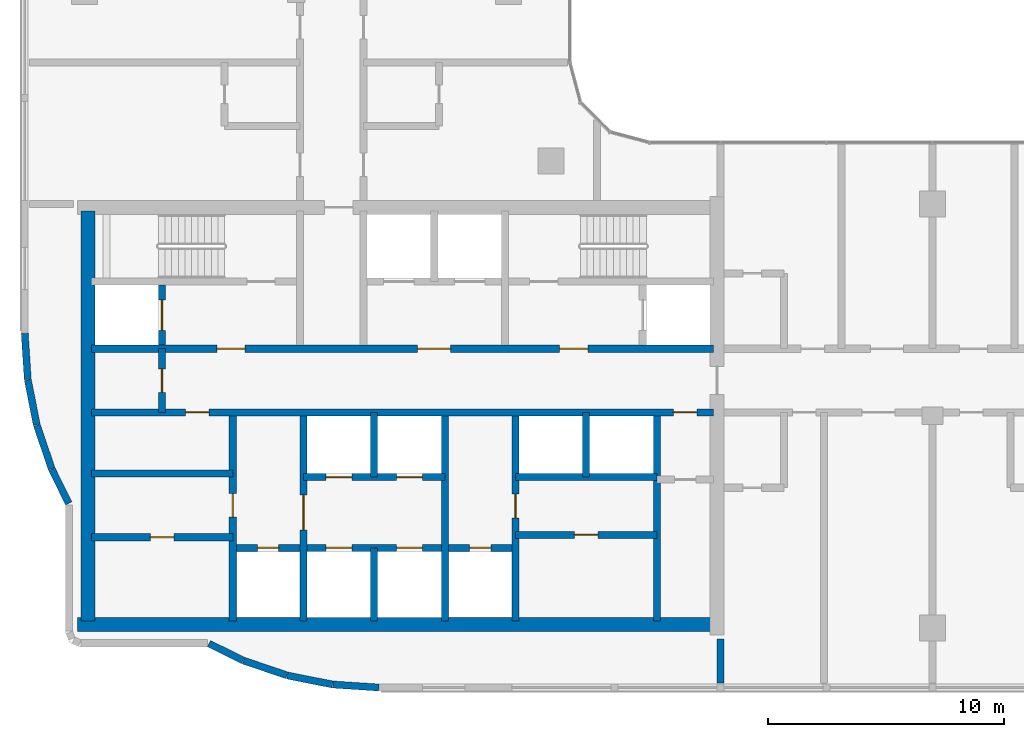
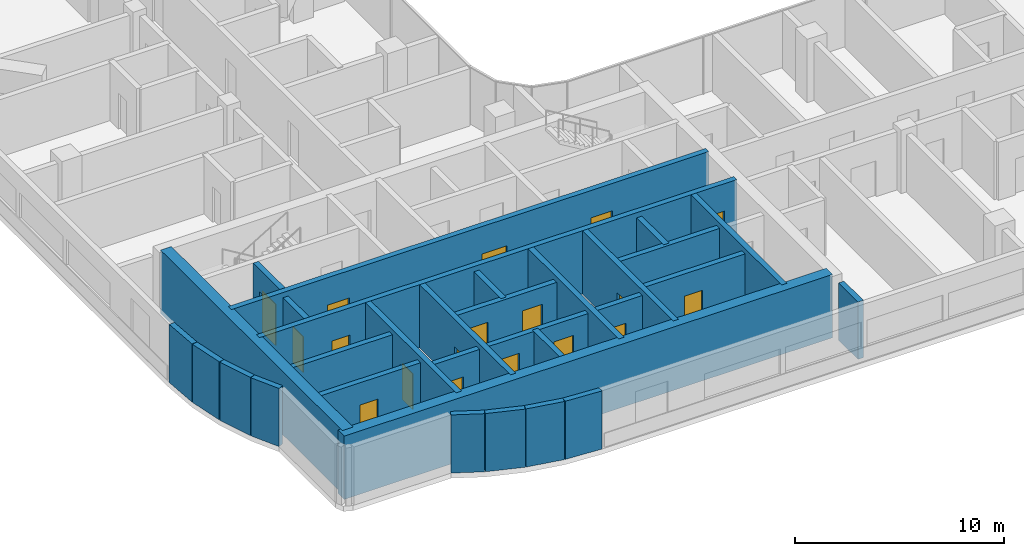
# One storey, part 10 of 23: 29 walls, 18 doors, 18 openings.
"""IFC4 building model written with IfcOpenShell, lengths in metres."""

from ifc_helpers import new_model, si_unit, direction, frame, frame_2d, origin, place, context, subcontext, project, spatial, rectangle, extrude, material, layer, layer_set, type_object, element, fill, save


model = new_model("IFC4")

# Units and contexts
model_context = context("Model", 3, precision=1e-05, world=origin(), true_north=direction((0.0, 1.0)))
body_context = subcontext(model_context, "Body", "Model", "MODEL_VIEW")
ifc_project = project(units=[si_unit("LENGTHUNIT", "METRE"), si_unit("AREAUNIT", "SQUARE_METRE"), si_unit("VOLUMEUNIT", "CUBIC_METRE"), si_unit("PLANEANGLEUNIT", "RADIAN"), si_unit("MASSUNIT", "GRAM", prefix="KILO")], contexts=[model_context])

# Site, building, storey
site_placement = place(None, origin())
site = spatial("IfcSite", under=ifc_project, at=site_placement, CompositionType="ELEMENT")
building_placement = place(site_placement, origin())
building = spatial("IfcBuilding", under=site, at=building_placement, Name="Ogive Portal Towers", CompositionType="ELEMENT")
storey_placement = place(building_placement, frame((0.0, 0.0, 186.60009765625)))
storey = spatial("IfcBuildingStorey", under=building, at=storey_placement, Name="L46", CompositionType="ELEMENT", Elevation=186.60009765625)

# Wall, opening, door
ifc_material_1 = material(Name="Concrete C60/75", Category="concrete")
ifc_layer_1 = layer(ifc_material_1, 0.300048828125)
ifc_layer_set_1 = layer_set([ifc_layer_1], Name="CORE WALL 300 C60")
wall_type_1 = type_object("IfcWallType", Name="CORE WALL 300 C60", PredefinedType="SHEAR", material=ifc_layer_set_1)
wall_1_placement = place(storey_placement, frame((37.800048828125, 21.800048828125, 0.0), z_axis=(0.0, 0.0, 1.0), x_axis=(0.0, 1.0, 0.0)))
wall_1 = element("IfcWall", 1, at=wall_1_placement, inside=storey, type_object=wall_type_1, Name="Core wall X1 L46", PredefinedType="SHEAR", context=body_context, shape_type="SweptSolid", body=[
    extrude(rectangle(XDim=8.699951171875, YDim=0.300048828125, at=frame_2d((4.35009765625, 0.0))), origin(), (0.0, 0.0, 1.0), 3.699951171875),
])
opening_1_placement = place(wall_1_placement, frame((4.39990234375, 0.0, 0.0)))
opening_1 = element("IfcOpeningElement", 2, at=opening_1_placement, cuts=wall_1, Name="Opening D20-022", PredefinedType="OPENING", context=body_context, shape_type="SweptSolid", body=[
    extrude(rectangle(XDim=1.0, YDim=2.10009765625, at=frame_2d((0.5, 1.050048828125))), frame((0.0, 0.16015625, 0.0), z_axis=(0.0, -1.0, 0.0), x_axis=(1.0, 0.0, 0.0)), (0.0, 0.0, 1.0), 0.320068359375),
])
ifc_material_2 = material(Name="Steel fire door", Category="steel")
door_type_1 = type_object("IfcDoorType", Name="DT-SWING-1000x2100-FD90S", OperationType="SINGLE_SWING_LEFT", PredefinedType="DOOR", material=ifc_material_2)
door_1_placement = place(opening_1_placement, origin())
door_1 = element("IfcDoor", 3, at=door_1_placement, inside=storey, type_object=door_type_1, Name="Door D20-022", OperationType="SINGLE_SWING_RIGHT", OverallHeight=2.10009765625, OverallWidth=1.0, PredefinedType="DOOR", context=body_context, shape_type="SweptSolid", body=[
    extrude(rectangle(XDim=1.0, YDim=2.10009765625, at=frame_2d((0.5, 1.050048828125))), frame((0.0, 0.02490234375, 0.0), z_axis=(0.0, -1.0, 0.0), x_axis=(1.0, 0.0, 0.0)), (0.0, 0.0, 1.0), 0.050048828125),
])
fill(opening_1, door_1)

wall_2_placement = place(storey_placement, frame((40.800048828125, 21.800048828125, 0.0), z_axis=(0.0, 0.0, 1.0), x_axis=(0.0, 1.0, 0.0)))
wall_2 = element("IfcWall", 4, at=wall_2_placement, inside=storey, type_object=wall_type_1, Name="Core wall X2 L46", PredefinedType="SHEAR", context=body_context, shape_type="SweptSolid", body=[
    extrude(rectangle(XDim=8.699951171875, YDim=0.300048828125, at=frame_2d((4.35009765625, 0.0))), origin(), (0.0, 0.0, 1.0), 3.699951171875),
])
opening_2_placement = place(wall_2_placement, frame((3.85009765625, 0.0, 0.0)))
opening_2 = element("IfcOpeningElement", 5, at=opening_2_placement, cuts=wall_2, Name="Opening D20-001", PredefinedType="OPENING", context=body_context, shape_type="SweptSolid", body=[
    extrude(rectangle(XDim=1.5, YDim=2.10009765625, at=frame_2d((0.75, 1.050048828125))), frame((0.0, 0.16015625, 0.0), z_axis=(0.0, -1.0, 0.0), x_axis=(1.0, 0.0, 0.0)), (0.0, 0.0, 1.0), 0.320068359375),
])
door_type_2 = type_object("IfcDoorType", Name="DT-SWING-1500x2100-FD90S", OperationType="SINGLE_SWING_LEFT", PredefinedType="DOOR", material=ifc_material_2)
door_2_placement = place(opening_2_placement, origin())
door_2 = element("IfcDoor", 6, at=door_2_placement, inside=storey, type_object=door_type_2, Name="Door D20-001", OperationType="SINGLE_SWING_RIGHT", OverallHeight=2.10009765625, OverallWidth=1.5, PredefinedType="DOOR", context=body_context, shape_type="SweptSolid", body=[
    extrude(rectangle(XDim=1.5, YDim=2.10009765625, at=frame_2d((0.75, 1.050048828125))), frame((0.0, 0.02490234375, 0.0), z_axis=(0.0, -1.0, 0.0), x_axis=(1.0, 0.0, 0.0)), (0.0, 0.0, 1.0), 0.050048828125),
])
fill(opening_2, door_2)

# Wall
wall_3_placement = place(storey_placement, frame((46.800048828125, 21.800048828125, 0.0), z_axis=(0.0, 0.0, 1.0), x_axis=(0.0, 1.0, 0.0)))
element("IfcWall", 7, at=wall_3_placement, inside=storey, type_object=wall_type_1, Name="Core wall X3 L46", PredefinedType="SHEAR", context=body_context, shape_type="SweptSolid", body=[
    extrude(rectangle(XDim=8.699951171875, YDim=0.300048828125, at=frame_2d((4.35009765625, 0.0))), origin(), (0.0, 0.0, 1.0), 3.699951171875),
])

# Wall, opening, door
wall_4_placement = place(storey_placement, frame((49.800048828125, 21.800048828125, 0.0), z_axis=(0.0, 0.0, 1.0), x_axis=(0.0, 1.0, 0.0)))
wall_4 = element("IfcWall", 8, at=wall_4_placement, inside=storey, type_object=wall_type_1, Name="Core wall X4 L46", PredefinedType="SHEAR", context=body_context, shape_type="SweptSolid", body=[
    extrude(rectangle(XDim=8.699951171875, YDim=0.300048828125, at=frame_2d((4.35009765625, 0.0))), origin(), (0.0, 0.0, 1.0), 3.699951171875),
])
opening_3_placement = place(wall_4_placement, frame((4.375, 0.0, 0.0)))
opening_3 = element("IfcOpeningElement", 9, at=opening_3_placement, cuts=wall_4, Name="Opening D20-024", PredefinedType="OPENING", context=body_context, shape_type="SweptSolid", body=[
    extrude(rectangle(XDim=1.0, YDim=2.10009765625, at=frame_2d((0.5, 1.050048828125))), frame((0.0, 0.16015625, 0.0), z_axis=(0.0, -1.0, 0.0), x_axis=(1.0, 0.0, 0.0)), (0.0, 0.0, 1.0), 0.320068359375),
])
door_3_placement = place(opening_3_placement, origin())
door_3 = element("IfcDoor", 10, at=door_3_placement, inside=storey, type_object=door_type_1, Name="Door D20-024", OperationType="SINGLE_SWING_RIGHT", OverallHeight=2.10009765625, OverallWidth=1.0, PredefinedType="DOOR", context=body_context, shape_type="SweptSolid", body=[
    extrude(rectangle(XDim=1.0, YDim=2.10009765625, at=frame_2d((0.5, 1.050048828125))), frame((0.0, 0.02490234375, 0.0), z_axis=(0.0, -1.0, 0.0), x_axis=(1.0, 0.0, 0.0)), (0.0, 0.0, 1.0), 0.050048828125),
])
fill(opening_3, door_3)

# Wall
wall_5_placement = place(storey_placement, frame((55.800048828125, 21.800048828125, 0.0), z_axis=(0.0, 0.0, 1.0), x_axis=(0.0, 1.0, 0.0)))
element("IfcWall", 11, at=wall_5_placement, inside=storey, type_object=wall_type_1, Name="Core wall X5 L46", PredefinedType="SHEAR", context=body_context, shape_type="SweptSolid", body=[
    extrude(rectangle(XDim=8.699951171875, YDim=0.300048828125, at=frame_2d((4.35009765625, 0.0))), origin(), (0.0, 0.0, 1.0), 3.699951171875),
])

# Wall, openings, doors
wall_6_placement = place(storey_placement, frame((31.800048828125, 30.64990234375, 0.0), z_axis=(0.0, 0.0, 1.0), x_axis=(1.0, 0.0, 0.0)))
wall_6 = element("IfcWall", 12, at=wall_6_placement, inside=storey, type_object=wall_type_1, Name="Core wall Y1 L46", PredefinedType="SHEAR", context=body_context, shape_type="SweptSolid", body=[
    extrude(rectangle(XDim=26.39990234375, YDim=0.300048828125, at=frame_2d((13.199951171875, 0.0))), origin(), (0.0, 0.0, 1.0), 3.699951171875),
])
opening_4_placement = place(wall_6_placement, frame((24.699951171875, 0.0, 0.0)))
opening_4 = element("IfcOpeningElement", 13, at=opening_4_placement, cuts=wall_6, Name="Opening D20-009", PredefinedType="OPENING", context=body_context, shape_type="SweptSolid", body=[
    extrude(rectangle(XDim=1.0, YDim=2.10009765625, at=frame_2d((0.5, 1.050048828125))), frame((0.0, 0.16015625, 0.0), z_axis=(0.0, -1.0, 0.0), x_axis=(1.0, 0.0, 0.0)), (0.0, 0.0, 1.0), 0.320068359375),
])
opening_5_placement = place(wall_6_placement, frame((4.0, 0.0, 0.0)))
opening_5 = element("IfcOpeningElement", 14, at=opening_5_placement, cuts=wall_6, Name="Opening D20-021", PredefinedType="OPENING", context=body_context, shape_type="SweptSolid", body=[
    extrude(rectangle(XDim=1.0, YDim=2.10009765625, at=frame_2d((0.5, 1.050048828125))), frame((0.0, 0.16015625, 0.0), z_axis=(0.0, -1.0, 0.0), x_axis=(1.0, 0.0, 0.0)), (0.0, 0.0, 1.0), 0.320068359375),
])
door_4_placement = place(opening_4_placement, origin())
door_4 = element("IfcDoor", 15, at=door_4_placement, inside=storey, type_object=door_type_1, Name="Door D20-009", OperationType="SINGLE_SWING_LEFT", OverallHeight=2.10009765625, OverallWidth=1.0, PredefinedType="DOOR", context=body_context, shape_type="SweptSolid", body=[
    extrude(rectangle(XDim=1.0, YDim=2.10009765625, at=frame_2d((0.5, 1.050048828125))), frame((0.0, 0.02490234375, 0.0), z_axis=(0.0, -1.0, 0.0), x_axis=(1.0, 0.0, 0.0)), (0.0, 0.0, 1.0), 0.050048828125),
])
fill(opening_4, door_4)
door_5_placement = place(opening_5_placement, origin())
door_5 = element("IfcDoor", 16, at=door_5_placement, inside=storey, type_object=door_type_1, Name="Door D20-021", OperationType="SINGLE_SWING_LEFT", OverallHeight=2.10009765625, OverallWidth=1.0, PredefinedType="DOOR", context=body_context, shape_type="SweptSolid", body=[
    extrude(rectangle(XDim=1.0, YDim=2.10009765625, at=frame_2d((0.5, 1.050048828125))), frame((0.0, 0.02490234375, 0.0), z_axis=(0.0, -1.0, 0.0), x_axis=(1.0, 0.0, 0.0)), (0.0, 0.0, 1.0), 0.050048828125),
])
fill(opening_5, door_5)

wall_7_placement = place(storey_placement, frame((31.800048828125, 33.35009765625, 0.0), z_axis=(0.0, 0.0, 1.0), x_axis=(1.0, 0.0, 0.0)))
wall_7 = element("IfcWall", 17, at=wall_7_placement, inside=storey, type_object=wall_type_1, Name="Core wall Y2 L46", PredefinedType="SHEAR", context=body_context, shape_type="SweptSolid", body=[
    extrude(rectangle(XDim=26.39990234375, YDim=0.300048828125, at=frame_2d((13.199951171875, 0.0))), origin(), (0.0, 0.0, 1.0), 3.699951171875),
])
opening_6_placement = place(wall_7_placement, frame((13.85009765625, 0.0, 0.0)))
opening_6 = element("IfcOpeningElement", 18, at=opening_6_placement, cuts=wall_7, Name="Opening D20-002", PredefinedType="OPENING", context=body_context, shape_type="SweptSolid", body=[
    extrude(rectangle(XDim=1.39990234375, YDim=2.10009765625, at=frame_2d((0.699951171875, 1.050048828125))), frame((0.0, 0.16015625, 0.0), z_axis=(0.0, -1.0, 0.0), x_axis=(1.0, 0.0, 0.0)), (0.0, 0.0, 1.0), 0.320068359375),
])
opening_7_placement = place(wall_7_placement, frame((5.324951171875, 0.0, 0.0)))
opening_7 = element("IfcOpeningElement", 19, at=opening_7_placement, cuts=wall_7, Name="Opening D20-003", PredefinedType="OPENING", context=body_context, shape_type="SweptSolid", body=[
    extrude(rectangle(XDim=1.199951171875, YDim=2.10009765625, at=frame_2d((0.60009765625, 1.050048828125))), frame((0.0, 0.16015625, 0.0), z_axis=(0.0, -1.0, 0.0), x_axis=(1.0, 0.0, 0.0)), (0.0, 0.0, 1.0), 0.320068359375),
])
opening_8_placement = place(wall_7_placement, frame((19.875, 0.0, 0.0)))
opening_8 = element("IfcOpeningElement", 20, at=opening_8_placement, cuts=wall_7, Name="Opening D20-004", PredefinedType="OPENING", context=body_context, shape_type="SweptSolid", body=[
    extrude(rectangle(XDim=1.199951171875, YDim=2.10009765625, at=frame_2d((0.60009765625, 1.050048828125))), frame((0.0, 0.16015625, 0.0), z_axis=(0.0, -1.0, 0.0), x_axis=(1.0, 0.0, 0.0)), (0.0, 0.0, 1.0), 0.320068359375),
])
door_type_3 = type_object("IfcDoorType", Name="DT-SWING-1200x2100-FD90S", OperationType="SINGLE_SWING_LEFT", PredefinedType="DOOR", material=ifc_material_2)
door_6_placement = place(opening_7_placement, origin())
door_6 = element("IfcDoor", 21, at=door_6_placement, inside=storey, type_object=door_type_3, Name="Door D20-003", OperationType="SINGLE_SWING_LEFT", OverallHeight=2.10009765625, OverallWidth=1.199951171875, PredefinedType="DOOR", context=body_context, shape_type="SweptSolid", body=[
    extrude(rectangle(XDim=1.199951171875, YDim=2.10009765625, at=frame_2d((0.60009765625, 1.050048828125))), frame((0.0, 0.02490234375, 0.0), z_axis=(0.0, -1.0, 0.0), x_axis=(1.0, 0.0, 0.0)), (0.0, 0.0, 1.0), 0.050048828125),
])
fill(opening_7, door_6)
door_7_placement = place(opening_8_placement, origin())
door_7 = element("IfcDoor", 22, at=door_7_placement, inside=storey, type_object=door_type_3, Name="Door D20-004", OperationType="SINGLE_SWING_RIGHT", OverallHeight=2.10009765625, OverallWidth=1.199951171875, PredefinedType="DOOR", context=body_context, shape_type="SweptSolid", body=[
    extrude(rectangle(XDim=1.199951171875, YDim=2.10009765625, at=frame_2d((0.60009765625, 1.050048828125))), frame((0.0, 0.02490234375, 0.0), z_axis=(0.0, -1.0, 0.0), x_axis=(1.0, 0.0, 0.0)), (0.0, 0.0, 1.0), 0.050048828125),
])
fill(opening_8, door_7)
door_type_4 = type_object("IfcDoorType", Name="DT-SWING-1400x2100-FD90S", OperationType="SINGLE_SWING_LEFT", PredefinedType="DOOR", material=ifc_material_2)
door_8_placement = place(opening_6_placement, origin())
door_8 = element("IfcDoor", 23, at=door_8_placement, inside=storey, type_object=door_type_4, Name="Door D20-002", OperationType="SINGLE_SWING_RIGHT", OverallHeight=2.10009765625, OverallWidth=1.39990234375, PredefinedType="DOOR", context=body_context, shape_type="SweptSolid", body=[
    extrude(rectangle(XDim=1.39990234375, YDim=2.10009765625, at=frame_2d((0.699951171875, 1.050048828125))), frame((0.0, 0.02490234375, 0.0), z_axis=(0.0, -1.0, 0.0), x_axis=(1.0, 0.0, 0.0)), (0.0, 0.0, 1.0), 0.050048828125),
])
fill(opening_6, door_8)

# Wall, opening, door
wall_8_placement = place(storey_placement, frame((34.800048828125, 33.5, 0.0), z_axis=(0.0, 0.0, 1.0), x_axis=(0.0, 1.0, 0.0)))
wall_8 = element("IfcWall", 24, at=wall_8_placement, inside=storey, type_object=wall_type_1, Name="Core wall X8 L46", PredefinedType="SHEAR", context=body_context, shape_type="SweptSolid", body=[
    extrude(rectangle(XDim=2.550048828125, YDim=0.300048828125, at=frame_2d((1.27490234375, 0.0))), origin(), (0.0, 0.0, 1.0), 3.699951171875),
])
opening_9_placement = place(wall_8_placement, frame((0.625, 0.0, 0.0)))
opening_9 = element("IfcOpeningElement", 25, at=opening_9_placement, cuts=wall_8, Name="Opening D20-019", PredefinedType="OPENING", context=body_context, shape_type="SweptSolid", body=[
    extrude(rectangle(XDim=1.300048828125, YDim=2.39990234375, at=frame_2d((0.64990234375, 1.199951171875))), frame((0.0, 0.16015625, 0.0), z_axis=(0.0, -1.0, 0.0), x_axis=(1.0, 0.0, 0.0)), (0.0, 0.0, 1.0), 0.320068359375),
])
ifc_material_3 = material(Name="Stainless steel", Category="steel")
door_type_5 = type_object("IfcDoorType", Name="DT-LD-1300x2400", OperationType="SLIDING_TO_LEFT", PredefinedType="DOOR", material=ifc_material_3)
door_9_placement = place(opening_9_placement, origin())
door_9 = element("IfcDoor", 26, at=door_9_placement, inside=storey, type_object=door_type_5, Name="Door D20-019", OperationType="SLIDING_TO_LEFT", OverallHeight=2.39990234375, OverallWidth=1.300048828125, PredefinedType="DOOR", context=body_context, shape_type="SweptSolid", body=[
    extrude(rectangle(XDim=1.300048828125, YDim=2.39990234375, at=frame_2d((0.64990234375, 1.199951171875))), frame((0.0, 0.02490234375, 0.0), z_axis=(0.0, -1.0, 0.0), x_axis=(1.0, 0.0, 0.0)), (0.0, 0.0, 1.0), 0.050048828125),
])
fill(opening_9, door_9)

# Walls
ifc_layer_2 = layer(ifc_material_1, 0.60009765625)
ifc_layer_set_2 = layer_set([ifc_layer_2], Name="CORE WALL 600 C60")
wall_type_2 = type_object("IfcWallType", Name="CORE WALL 600 C60", PredefinedType="SHEAR", material=ifc_layer_set_2)
wall_9_placement = place(storey_placement, frame((31.64990234375, 21.800048828125, 0.0), z_axis=(0.0, 0.0, 1.0), x_axis=(0.0, 1.0, 0.0)))
element("IfcWall", 27, at=wall_9_placement, inside=storey, type_object=wall_type_2, Name="Core wall W L46", PredefinedType="SHEAR", context=body_context, shape_type="SweptSolid", body=[
    extrude(rectangle(XDim=17.39990234375, YDim=0.60009765625, at=frame_2d((8.699951171875, 0.0))), origin(), (0.0, 0.0, 1.0), 3.699951171875),
])
wall_10_placement = place(storey_placement, frame((31.199951171875, 21.64990234375, 0.0), z_axis=(0.0, 0.0, 1.0), x_axis=(1.0, 0.0, 0.0)))
element("IfcWall", 28, at=wall_10_placement, inside=storey, type_object=wall_type_2, Name="Core wall S L46", PredefinedType="SHEAR", context=body_context, shape_type="SweptSolid", body=[
    extrude(rectangle(XDim=27.0, YDim=0.60009765625, at=frame_2d((13.5, 0.0))), origin(), (0.0, 0.0, 1.0), 3.699951171875),
])
ifc_material_4 = material(Name="Limestone cladding on lightweight block wall", Category="masonry")
ifc_layer_3 = layer(ifc_material_4, 0.300048828125)
ifc_layer_set_3 = layer_set([ifc_layer_3], Name="EXTERNAL WALL 300 STONE")
wall_type_3 = type_object("IfcWallType", Name="EXTERNAL WALL 300 STONE", PredefinedType="SOLIDWALL", material=ifc_layer_set_3)
wall_11_placement = place(storey_placement, frame((36.7880859375, 20.83447265625, 0.0), z_axis=(0.0, 0.0, 1.0), x_axis=(0.896857753975, -0.442319080682, 0.0)))
element("IfcWall", 29, at=wall_11_placement, inside=storey, type_object=wall_type_3, Name="A:L46:f04:r0:wall", PredefinedType="SOLIDWALL", context=body_context, shape_type="SweptSolid", body=[
    extrude(rectangle(XDim=1.618408203125, YDim=0.300048828125, at=frame_2d((0.80908203125, 0.0))), origin(), (0.0, 0.0, 1.0), 3.39990234375),
])
for number, where, z_axis, x_axis, name in (
    (30, (38.2578125, 20.111328125, 0.0), (0.0, 0.0, 1.0), (0.946912572858, -0.32149118085, 0.0), "A:L46:f05:r0:wall"),
    (31, (40.11962890625, 19.48046875, 0.0), (0.0, 0.0, 1.0), (0.980792379364, -0.195054629737, 0.0), "A:L46:f06:r0:wall"),
):
    element("IfcWall", number, at=place(storey_placement, frame(where, z_axis=z_axis, x_axis=x_axis)), inside=storey, type_object=wall_type_3, Name=name, PredefinedType="SOLIDWALL", context=body_context, shape_type="SweptSolid", body=[
        extrude(rectangle(XDim=1.9462890625, YDim=0.300048828125, at=frame_2d((0.97314453125, 0.0))), origin(), (0.0, 0.0, 1.0), 3.39990234375),
    ])
for number, where, z_axis, x_axis, name in (
    (32, (42.048095703125, 19.09814453125, 0.0), (0.0, 0.0, 1.0), (0.997859086025, -0.065400645538, 0.0), "A:L46:f07:r0:wall"),
    (33, (28.97021484375, 34.0, 0.0), (0.0, 0.0, 1.0), (0.065400645538, -0.997859086025, 0.0), "A:L46:f28:r0:wall"),
):
    element("IfcWall", number, at=place(storey_placement, frame(where, z_axis=z_axis, x_axis=x_axis)), inside=storey, type_object=wall_type_3, Name=name, PredefinedType="SOLIDWALL", context=body_context, shape_type="SweptSolid", body=[
        extrude(rectangle(XDim=1.9560546875, YDim=0.300048828125, at=frame_2d((0.97802734375, 0.0))), origin(), (0.0, 0.0, 1.0), 3.39990234375),
    ])
for number, where, z_axis, x_axis, name in (
    (34, (29.100830078125, 32.028564453125, 0.0), (0.0, 0.0, 1.0), (0.195054629737, -0.980792379364, 0.0), "A:L46:f29:r0:wall"),
    (35, (29.485595703125, 30.100830078125, 0.0), (0.0, 0.0, 1.0), (0.32149118085, -0.946912572858, 0.0), "A:L46:f30:r0:wall"),
):
    element("IfcWall", number, at=place(storey_placement, frame(where, z_axis=z_axis, x_axis=x_axis)), inside=storey, type_object=wall_type_3, Name=name, PredefinedType="SOLIDWALL", context=body_context, shape_type="SweptSolid", body=[
        extrude(rectangle(XDim=1.9462890625, YDim=0.300048828125, at=frame_2d((0.97314453125, 0.0))), origin(), (0.0, 0.0, 1.0), 3.39990234375),
    ])
wall_12_placement = place(storey_placement, frame((30.11865234375, 28.239501953125, 0.0), z_axis=(0.0, 0.0, 1.0), x_axis=(0.442319080682, -0.896857753975, 0.0)))
element("IfcWall", 36, at=wall_12_placement, inside=storey, type_object=wall_type_3, Name="A:L46:f31:r0:wall", PredefinedType="SOLIDWALL", context=body_context, shape_type="SweptSolid", body=[
    extrude(rectangle(XDim=1.618408203125, YDim=0.300048828125, at=frame_2d((0.80908203125, 0.0))), origin(), (0.0, 0.0, 1.0), 3.39990234375),
])

# Wall, opening, door
ifc_material_5 = material(Name="Gypsum board partition on steel studs", Category="steel")
ifc_layer_4 = layer(ifc_material_5, 0.300048828125)
ifc_layer_set_4 = layer_set([ifc_layer_4], Name="WT-PART-300")
wall_type_4 = type_object("IfcWallType", Name="WT-PART-300", PredefinedType="PARTITIONING", material=ifc_layer_set_4)
wall_13_placement = place(storey_placement, frame((31.800048828125, 25.35009765625, 0.0), z_axis=(0.0, 0.0, 1.0), x_axis=(1.0, 0.0, 0.0)))
wall_13 = element("IfcWall", 37, at=wall_13_placement, inside=storey, type_object=wall_type_4, Name="Wall pw:002:L46", PredefinedType="PARTITIONING", context=body_context, shape_type="SweptSolid", body=[
    extrude(rectangle(XDim=6.0, YDim=0.300048828125, at=frame_2d((3.0, 0.0))), origin(), (0.0, 0.0, 1.0), 3.39990234375),
])
opening_10_placement = place(wall_13_placement, frame((2.5, 0.0, 0.0)))
opening_10 = element("IfcOpeningElement", 38, at=opening_10_placement, cuts=wall_13, Name="Opening D20-023", PredefinedType="OPENING", context=body_context, shape_type="SweptSolid", body=[
    extrude(rectangle(XDim=1.0, YDim=2.10009765625, at=frame_2d((0.5, 1.050048828125))), frame((0.0, 0.16015625, 0.0), z_axis=(0.0, -1.0, 0.0), x_axis=(1.0, 0.0, 0.0)), (0.0, 0.0, 1.0), 0.320068359375),
])
door_type_6 = type_object("IfcDoorType", Name="DT-SWING-1000x2100-FD60S", OperationType="SINGLE_SWING_LEFT", PredefinedType="DOOR", material=ifc_material_2)
door_10_placement = place(opening_10_placement, origin())
door_10 = element("IfcDoor", 39, at=door_10_placement, inside=storey, type_object=door_type_6, Name="Door D20-023", OperationType="SINGLE_SWING_RIGHT", OverallHeight=2.10009765625, OverallWidth=1.0, PredefinedType="DOOR", context=body_context, shape_type="SweptSolid", body=[
    extrude(rectangle(XDim=1.0, YDim=2.10009765625, at=frame_2d((0.5, 1.050048828125))), frame((0.0, 0.02490234375, 0.0), z_axis=(0.0, -1.0, 0.0), x_axis=(1.0, 0.0, 0.0)), (0.0, 0.0, 1.0), 0.050048828125),
])
fill(opening_10, door_10)

wall_14_placement = place(storey_placement, frame((49.800048828125, 25.449951171875, 0.0), z_axis=(0.0, 0.0, 1.0), x_axis=(1.0, 0.0, 0.0)))
wall_14 = element("IfcWall", 40, at=wall_14_placement, inside=storey, type_object=wall_type_4, Name="Wall pw:003:L46", PredefinedType="PARTITIONING", context=body_context, shape_type="SweptSolid", body=[
    extrude(rectangle(XDim=6.0, YDim=0.300048828125, at=frame_2d((3.0, 0.0))), origin(), (0.0, 0.0, 1.0), 3.39990234375),
])
opening_11_placement = place(wall_14_placement, frame((2.5, 0.0, 0.0)))
opening_11 = element("IfcOpeningElement", 41, at=opening_11_placement, cuts=wall_14, Name="Opening D20-025", PredefinedType="OPENING", context=body_context, shape_type="SweptSolid", body=[
    extrude(rectangle(XDim=1.0, YDim=2.10009765625, at=frame_2d((0.5, 1.050048828125))), frame((0.0, 0.16015625, 0.0), z_axis=(0.0, -1.0, 0.0), x_axis=(1.0, 0.0, 0.0)), (0.0, 0.0, 1.0), 0.320068359375),
])
door_11_placement = place(opening_11_placement, origin())
door_11 = element("IfcDoor", 42, at=door_11_placement, inside=storey, type_object=door_type_6, Name="Door D20-025", OperationType="SINGLE_SWING_RIGHT", OverallHeight=2.10009765625, OverallWidth=1.0, PredefinedType="DOOR", context=body_context, shape_type="SweptSolid", body=[
    extrude(rectangle(XDim=1.0, YDim=2.10009765625, at=frame_2d((0.5, 1.050048828125))), frame((0.0, 0.02490234375, 0.0), z_axis=(0.0, -1.0, 0.0), x_axis=(1.0, 0.0, 0.0)), (0.0, 0.0, 1.0), 0.050048828125),
])
fill(opening_11, door_11)

# Walls
wall_15_placement = place(storey_placement, frame((31.800048828125, 28.050048828125, 0.0), z_axis=(0.0, 0.0, 1.0), x_axis=(1.0, 0.0, 0.0)))
element("IfcWall", 43, at=wall_15_placement, inside=storey, type_object=wall_type_4, Name="Wall pw:007:L46", PredefinedType="PARTITIONING", context=body_context, shape_type="SweptSolid", body=[
    extrude(rectangle(XDim=6.0, YDim=0.300048828125, at=frame_2d((3.0, 0.0))), origin(), (0.0, 0.0, 1.0), 3.39990234375),
])
ifc_layer_5 = layer(ifc_material_5, 0.300048828125)
ifc_layer_set_5 = layer_set([ifc_layer_5], Name="WT-PART-300-EI 60")
wall_type_5 = type_object("IfcWallType", Name="WT-PART-300-EI 60", PredefinedType="PARTITIONING", material=ifc_layer_set_5)
wall_16_placement = place(storey_placement, frame((58.5, 19.169921875, 0.0), z_axis=(0.0, 0.0, 1.0), x_axis=(0.0, 1.0, 0.0)))
element("IfcWall", 44, at=wall_16_placement, inside=storey, type_object=wall_type_5, Name="Wall L46:w047", PredefinedType="PARTITIONING", context=body_context, shape_type="SweptSolid", body=[
    extrude(rectangle(XDim=1.860107421875, YDim=0.300048828125, at=frame_2d((0.93017578125, 0.0))), origin(), (0.0, 0.0, 1.0), 3.349853515625),
])

# Wall, openings, doors
ifc_material_6 = material(Name="Concrete C40/50", Category="concrete")
ifc_layer_6 = layer(ifc_material_6, 0.300048828125)
ifc_layer_set_6 = layer_set([ifc_layer_6], Name="WT-SHAFT-300")
wall_type_6 = type_object("IfcWallType", Name="WT-SHAFT-300", PredefinedType="SOLIDWALL", material=ifc_layer_set_6)
wall_17_placement = place(storey_placement, frame((37.800048828125, 24.89990234375, 0.0), z_axis=(0.0, 0.0, 1.0), x_axis=(1.0, 0.0, 0.0)))
wall_17 = element("IfcWall", 45, at=wall_17_placement, inside=storey, type_object=wall_type_6, Name="Wall pw:001:L46", PredefinedType="SOLIDWALL", context=body_context, shape_type="SweptSolid", body=[
    extrude(rectangle(XDim=12.0, YDim=0.300048828125, at=frame_2d((6.0, 0.0))), origin(), (0.0, 0.0, 1.0), 3.39990234375),
])
opening_12_placement = place(wall_17_placement, frame((1.050048828125, 0.0, 0.0)))
opening_12 = element("IfcOpeningElement", 46, at=opening_12_placement, cuts=wall_17, Name="Opening D20-007", PredefinedType="OPENING", context=body_context, shape_type="SweptSolid", body=[
    extrude(rectangle(XDim=0.89990234375, YDim=2.10009765625, at=frame_2d((0.449951171875, 1.050048828125))), frame((0.0, 0.16015625, 0.0), z_axis=(0.0, -1.0, 0.0), x_axis=(1.0, 0.0, 0.0)), (0.0, 0.0, 1.0), 0.320068359375),
])
opening_13_placement = place(wall_17_placement, frame((10.050048828125, 0.0, 0.0)))
opening_13 = element("IfcOpeningElement", 47, at=opening_13_placement, cuts=wall_17, Name="Opening D20-008", PredefinedType="OPENING", context=body_context, shape_type="SweptSolid", body=[
    extrude(rectangle(XDim=0.89990234375, YDim=2.10009765625, at=frame_2d((0.449951171875, 1.050048828125))), frame((0.0, 0.16015625, 0.0), z_axis=(0.0, -1.0, 0.0), x_axis=(1.0, 0.0, 0.0)), (0.0, 0.0, 1.0), 0.320068359375),
])
opening_14_placement = place(wall_17_placement, frame((3.949951171875, 0.0, 0.0)))
opening_14 = element("IfcOpeningElement", 48, at=opening_14_placement, cuts=wall_17, Name="Opening D20-013", PredefinedType="OPENING", context=body_context, shape_type="SweptSolid", body=[
    extrude(rectangle(XDim=1.10009765625, YDim=2.39990234375, at=frame_2d((0.550048828125, 1.199951171875))), frame((0.0, 0.16015625, 0.0), z_axis=(0.0, -1.0, 0.0), x_axis=(1.0, 0.0, 0.0)), (0.0, 0.0, 1.0), 0.320068359375),
])
opening_15_placement = place(wall_17_placement, frame((6.949951171875, 0.0, 0.0)))
opening_15 = element("IfcOpeningElement", 49, at=opening_15_placement, cuts=wall_17, Name="Opening D20-014", PredefinedType="OPENING", context=body_context, shape_type="SweptSolid", body=[
    extrude(rectangle(XDim=1.10009765625, YDim=2.39990234375, at=frame_2d((0.550048828125, 1.199951171875))), frame((0.0, 0.16015625, 0.0), z_axis=(0.0, -1.0, 0.0), x_axis=(1.0, 0.0, 0.0)), (0.0, 0.0, 1.0), 0.320068359375),
])
door_type_7 = type_object("IfcDoorType", Name="DT-LD-1100x2400", OperationType="SLIDING_TO_LEFT", PredefinedType="DOOR", material=ifc_material_3)
door_12_placement = place(opening_14_placement, origin())
door_12 = element("IfcDoor", 50, at=door_12_placement, inside=storey, type_object=door_type_7, Name="Door D20-013", OperationType="SLIDING_TO_LEFT", OverallHeight=2.39990234375, OverallWidth=1.10009765625, PredefinedType="DOOR", context=body_context, shape_type="SweptSolid", body=[
    extrude(rectangle(XDim=1.10009765625, YDim=2.39990234375, at=frame_2d((0.550048828125, 1.199951171875))), frame((0.0, 0.02490234375, 0.0), z_axis=(0.0, -1.0, 0.0), x_axis=(1.0, 0.0, 0.0)), (0.0, 0.0, 1.0), 0.050048828125),
])
fill(opening_14, door_12)
door_13_placement = place(opening_15_placement, origin())
door_13 = element("IfcDoor", 51, at=door_13_placement, inside=storey, type_object=door_type_7, Name="Door D20-014", OperationType="SLIDING_TO_LEFT", OverallHeight=2.39990234375, OverallWidth=1.10009765625, PredefinedType="DOOR", context=body_context, shape_type="SweptSolid", body=[
    extrude(rectangle(XDim=1.10009765625, YDim=2.39990234375, at=frame_2d((0.550048828125, 1.199951171875))), frame((0.0, 0.02490234375, 0.0), z_axis=(0.0, -1.0, 0.0), x_axis=(1.0, 0.0, 0.0)), (0.0, 0.0, 1.0), 0.050048828125),
])
fill(opening_15, door_13)
door_type_8 = type_object("IfcDoorType", Name="DT-SWING-900x2100-FD90S", OperationType="SINGLE_SWING_LEFT", PredefinedType="DOOR", material=ifc_material_2)
door_14_placement = place(opening_12_placement, origin())
door_14 = element("IfcDoor", 52, at=door_14_placement, inside=storey, type_object=door_type_8, Name="Riser access door D20-007", OperationType="SINGLE_SWING_LEFT", OverallHeight=2.10009765625, OverallWidth=0.89990234375, PredefinedType="DOOR", context=body_context, shape_type="SweptSolid", body=[
    extrude(rectangle(XDim=0.89990234375, YDim=2.10009765625, at=frame_2d((0.449951171875, 1.050048828125))), frame((0.0, 0.02490234375, 0.0), z_axis=(0.0, -1.0, 0.0), x_axis=(1.0, 0.0, 0.0)), (0.0, 0.0, 1.0), 0.050048828125),
])
fill(opening_12, door_14)
door_15_placement = place(opening_13_placement, origin())
door_15 = element("IfcDoor", 53, at=door_15_placement, inside=storey, type_object=door_type_8, Name="Riser access door D20-008", OperationType="SINGLE_SWING_RIGHT", OverallHeight=2.10009765625, OverallWidth=0.89990234375, PredefinedType="DOOR", context=body_context, shape_type="SweptSolid", body=[
    extrude(rectangle(XDim=0.89990234375, YDim=2.10009765625, at=frame_2d((0.449951171875, 1.050048828125))), frame((0.0, 0.02490234375, 0.0), z_axis=(0.0, -1.0, 0.0), x_axis=(1.0, 0.0, 0.0)), (0.0, 0.0, 1.0), 0.050048828125),
])
fill(opening_13, door_15)

wall_18_placement = place(storey_placement, frame((40.800048828125, 27.89990234375, 0.0), z_axis=(0.0, 0.0, 1.0), x_axis=(1.0, 0.0, 0.0)))
wall_18 = element("IfcWall", 54, at=wall_18_placement, inside=storey, type_object=wall_type_6, Name="Wall pw:005:L46", PredefinedType="SOLIDWALL", context=body_context, shape_type="SweptSolid", body=[
    extrude(rectangle(XDim=6.0, YDim=0.300048828125, at=frame_2d((3.0, 0.0))), origin(), (0.0, 0.0, 1.0), 3.39990234375),
])
opening_16_placement = place(wall_18_placement, frame((0.949951171875, 0.0, 0.0)))
opening_16 = element("IfcOpeningElement", 55, at=opening_16_placement, cuts=wall_18, Name="Opening D20-015", PredefinedType="OPENING", context=body_context, shape_type="SweptSolid", body=[
    extrude(rectangle(XDim=1.10009765625, YDim=2.39990234375, at=frame_2d((0.550048828125, 1.199951171875))), frame((0.0, 0.16015625, 0.0), z_axis=(0.0, -1.0, 0.0), x_axis=(1.0, 0.0, 0.0)), (0.0, 0.0, 1.0), 0.320068359375),
])
opening_17_placement = place(wall_18_placement, frame((3.949951171875, 0.0, 0.0)))
opening_17 = element("IfcOpeningElement", 56, at=opening_17_placement, cuts=wall_18, Name="Opening D20-016", PredefinedType="OPENING", context=body_context, shape_type="SweptSolid", body=[
    extrude(rectangle(XDim=1.10009765625, YDim=2.39990234375, at=frame_2d((0.550048828125, 1.199951171875))), frame((0.0, 0.16015625, 0.0), z_axis=(0.0, -1.0, 0.0), x_axis=(1.0, 0.0, 0.0)), (0.0, 0.0, 1.0), 0.320068359375),
])
door_16_placement = place(opening_16_placement, origin())
door_16 = element("IfcDoor", 57, at=door_16_placement, inside=storey, type_object=door_type_7, Name="Door D20-015", OperationType="SLIDING_TO_LEFT", OverallHeight=2.39990234375, OverallWidth=1.10009765625, PredefinedType="DOOR", context=body_context, shape_type="SweptSolid", body=[
    extrude(rectangle(XDim=1.10009765625, YDim=2.39990234375, at=frame_2d((0.550048828125, 1.199951171875))), frame((0.0, 0.02490234375, 0.0), z_axis=(0.0, -1.0, 0.0), x_axis=(1.0, 0.0, 0.0)), (0.0, 0.0, 1.0), 0.050048828125),
])
fill(opening_16, door_16)
door_17_placement = place(opening_17_placement, origin())
door_17 = element("IfcDoor", 58, at=door_17_placement, inside=storey, type_object=door_type_7, Name="Door D20-016", OperationType="SLIDING_TO_LEFT", OverallHeight=2.39990234375, OverallWidth=1.10009765625, PredefinedType="DOOR", context=body_context, shape_type="SweptSolid", body=[
    extrude(rectangle(XDim=1.10009765625, YDim=2.39990234375, at=frame_2d((0.550048828125, 1.199951171875))), frame((0.0, 0.02490234375, 0.0), z_axis=(0.0, -1.0, 0.0), x_axis=(1.0, 0.0, 0.0)), (0.0, 0.0, 1.0), 0.050048828125),
])
fill(opening_17, door_17)

# Wall
wall_19_placement = place(storey_placement, frame((49.800048828125, 27.89990234375, 0.0), z_axis=(0.0, 0.0, 1.0), x_axis=(1.0, 0.0, 0.0)))
element("IfcWall", 59, at=wall_19_placement, inside=storey, type_object=wall_type_6, Name="Wall pw:006:L46", PredefinedType="SOLIDWALL", context=body_context, shape_type="SweptSolid", body=[
    extrude(rectangle(XDim=6.0, YDim=0.300048828125, at=frame_2d((3.0, 0.0))), origin(), (0.0, 0.0, 1.0), 3.39990234375),
])

# Wall, opening, door
wall_20_placement = place(storey_placement, frame((34.800048828125, 30.64990234375, 0.0), z_axis=(0.0, 0.0, 1.0), x_axis=(0.0, 1.0, 0.0)))
wall_20 = element("IfcWall", 60, at=wall_20_placement, inside=storey, type_object=wall_type_6, Name="Wall pw:008:L46", PredefinedType="SOLIDWALL", context=body_context, shape_type="SweptSolid", body=[
    extrude(rectangle(XDim=2.7001953125, YDim=0.300048828125, at=frame_2d((1.35009765625, 0.0))), origin(), (0.0, 0.0, 1.0), 3.39990234375),
])
opening_18_placement = place(wall_20_placement, frame((0.85009765625, 0.0, 0.0)))
opening_18 = element("IfcOpeningElement", 61, at=opening_18_placement, cuts=wall_20, Name="Opening D20-026", PredefinedType="OPENING", context=body_context, shape_type="SweptSolid", body=[
    extrude(rectangle(XDim=1.0, YDim=2.10009765625, at=frame_2d((0.5, 1.050048828125))), frame((0.0, 0.16015625, 0.0), z_axis=(0.0, -1.0, 0.0), x_axis=(1.0, 0.0, 0.0)), (0.0, 0.0, 1.0), 0.320068359375),
])
door_18_placement = place(opening_18_placement, origin())
door_18 = element("IfcDoor", 62, at=door_18_placement, inside=storey, type_object=door_type_1, Name="Door D20-026", OperationType="SINGLE_SWING_RIGHT", OverallHeight=2.10009765625, OverallWidth=1.0, PredefinedType="DOOR", context=body_context, shape_type="SweptSolid", body=[
    extrude(rectangle(XDim=1.0, YDim=2.10009765625, at=frame_2d((0.5, 1.050048828125))), frame((0.0, 0.02490234375, 0.0), z_axis=(0.0, -1.0, 0.0), x_axis=(1.0, 0.0, 0.0)), (0.0, 0.0, 1.0), 0.050048828125),
])
fill(opening_18, door_18)

# Walls
wall_21_placement = place(storey_placement, frame((43.800048828125, 21.800048828125, 0.0), z_axis=(0.0, 0.0, 1.0), x_axis=(0.0, 1.0, 0.0)))
element("IfcWall", 63, at=wall_21_placement, inside=storey, type_object=wall_type_6, Name="Wall pw:009:L46", PredefinedType="SOLIDWALL", context=body_context, shape_type="SweptSolid", body=[
    extrude(rectangle(XDim=3.099853515625, YDim=0.300048828125, at=frame_2d((1.5498046875, 0.0))), origin(), (0.0, 0.0, 1.0), 3.39990234375),
])
for number, where, z_axis, x_axis, name in (
    (64, (43.800048828125, 27.89990234375, 0.0), (0.0, 0.0, 1.0), (0.0, 1.0, 0.0), "Wall pw:010:L46"),
    (65, (52.800048828125, 27.89990234375, 0.0), (0.0, 0.0, 1.0), (0.0, 1.0, 0.0), "Wall pw:012:L46"),
):
    element("IfcWall", number, at=place(storey_placement, frame(where, z_axis=z_axis, x_axis=x_axis)), inside=storey, type_object=wall_type_6, Name=name, PredefinedType="SOLIDWALL", context=body_context, shape_type="SweptSolid", body=[
        extrude(rectangle(XDim=2.75, YDim=0.300048828125, at=frame_2d((1.375, 0.0))), origin(), (0.0, 0.0, 1.0), 3.39990234375),
    ])

save(model, "model.ifc")
